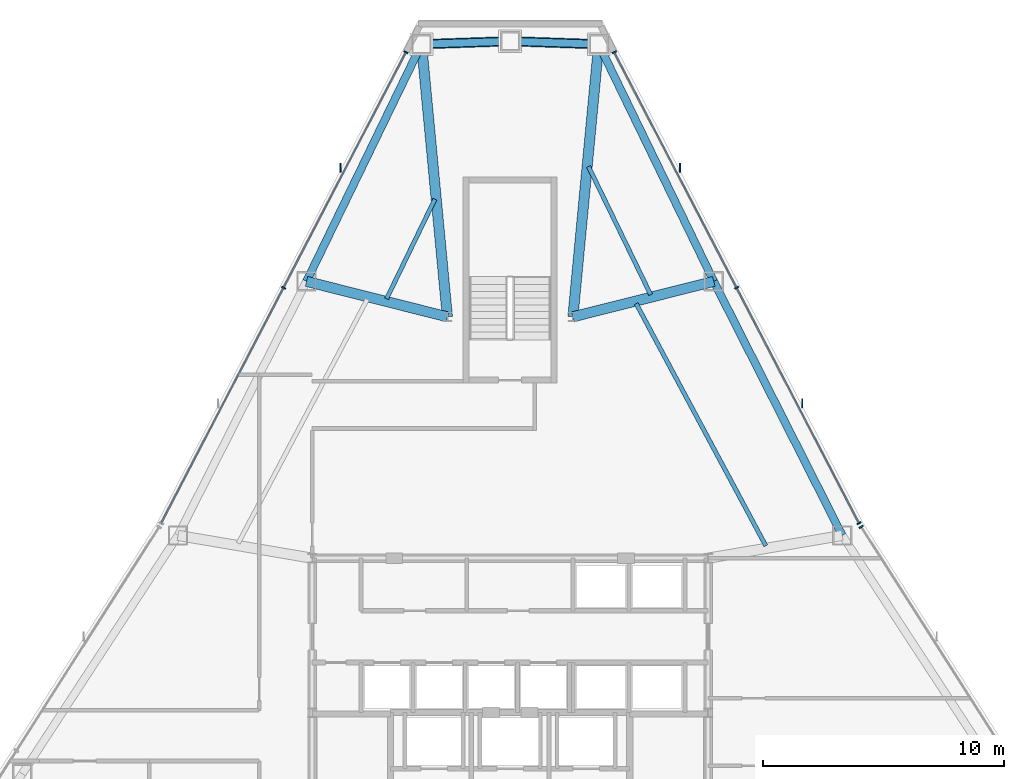
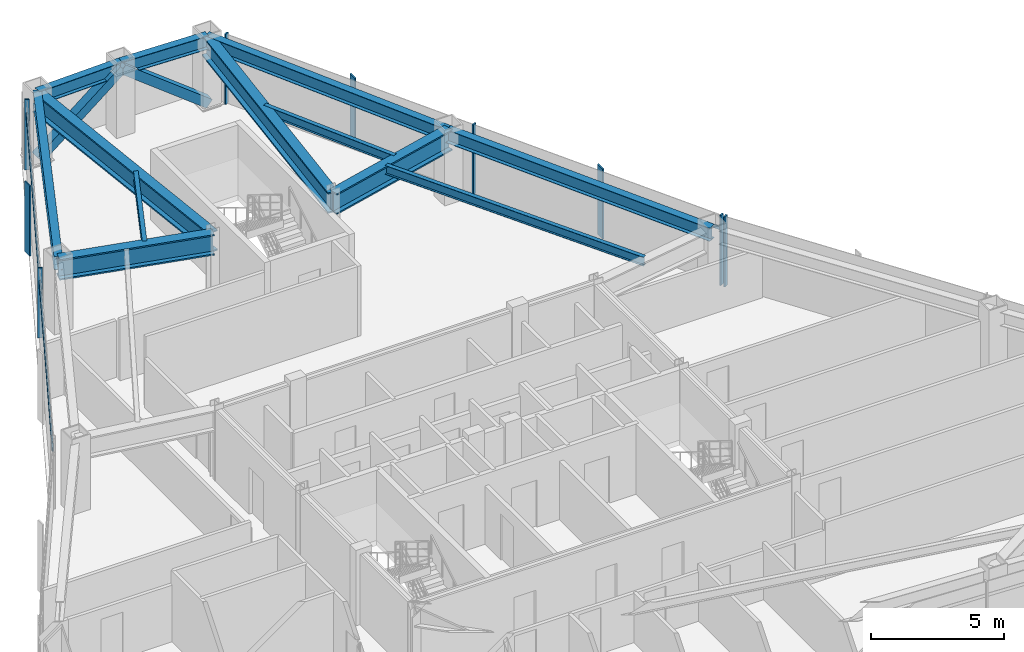
# One storey, part 8 of 13: 13 members, 12 beams, 3 elements without a shape of their own.
"""IFC4 building model written with IfcOpenShell, lengths in metres."""

from ifc_helpers import new_model, si_unit, direction, frame, origin, origin_2d, place, context, subcontext, project, spatial, rectangle, hollow_rectangle, i_section, extrude, source, transform, mapped, material, layer, layer_set, material_profile, profile_set, type_object, type_shapes, element, aggregate, save


model = new_model("IFC4")

# Units and contexts
model_context = context("Model", 3, precision=1e-05, world=origin(), true_north=direction((0.0, 1.0)))
body_context = subcontext(model_context, "Body", "Model", "MODEL_VIEW")
ifc_project = project(units=[si_unit("LENGTHUNIT", "METRE"), si_unit("AREAUNIT", "SQUARE_METRE"), si_unit("VOLUMEUNIT", "CUBIC_METRE"), si_unit("PLANEANGLEUNIT", "RADIAN"), si_unit("MASSUNIT", "GRAM", prefix="KILO")], contexts=[model_context])

# Site, building, storey
site_placement = place(None, origin())
site = spatial("IfcSite", under=ifc_project, at=site_placement, CompositionType="ELEMENT")
building_placement = place(site_placement, origin())
building = spatial("IfcBuilding", under=site, at=building_placement, Name="Varakhsha Concourse Tower", CompositionType="ELEMENT")
storey_placement = place(building_placement, frame((0.0, 0.0, 182.699951171875)))
storey = spatial("IfcBuildingStorey", under=building, at=storey_placement, Name="L52", CompositionType="ELEMENT", Elevation=182.699951171875)

# Beams
ifc_material_1 = material(Name="Structural Steel ASTM A992 Grade 50", Category="steel")
ifc_material_profile_1 = material_profile(ifc_material_1, i_section(OverallWidth=0.177978515625, OverallDepth=0.406982421875, WebThickness=0.008056640625, FlangeThickness=0.012939453125, at=origin_2d()), Name="W16X40")
ifc_profile_set_1 = profile_set([ifc_material_profile_1], Name="Structural Steel ASTM A992 Grade 50")
beam_type_1 = type_object("IfcBeamType", Name="BM-JST-W16X40", PredefinedType="JOIST", material=ifc_profile_set_1)
beam_1_placement = place(storey_placement, frame((36.88134765625, 46.07080078125, 3.006591796875), z_axis=(-0.436448531926, -0.899729225367, 0.0), x_axis=(0.899729225367, -0.436448531926, 0.0)))
element("IfcBeam", 1, at=beam_1_placement, inside=storey, type_object=beam_type_1, Name="BM-TJST-L52-03", PredefinedType="JOIST", context=body_context, shape_type="SweptSolid", body=[
    extrude(i_section(OverallWidth=0.177978515625, OverallDepth=0.406982421875, WebThickness=0.008056640625, FlangeThickness=0.012939453125, at=origin_2d()), origin(), (0.0, 0.0, 1.0), 4.585693359375),
])
beam_2_placement = place(storey_placement, frame((50.593994140625, 31.712158203125, 3.006591796875), z_axis=(-0.472008954275, 0.881593753996, 0.0), x_axis=(-0.881593753996, -0.472008954275, 0.0)))
element("IfcBeam", 2, at=beam_2_placement, inside=storey, type_object=beam_type_1, Name="BM-TJST-L52-17", PredefinedType="JOIST", context=body_context, shape_type="SweptSolid", body=[
    extrude(i_section(OverallWidth=0.177978515625, OverallDepth=0.406982421875, WebThickness=0.008056640625, FlangeThickness=0.012939453125, at=origin_2d()), origin(), (0.0, 0.0, 1.0), 11.385009765625),
])
beam_3_placement = place(storey_placement, frame((45.82080078125, 42.12109375, 3.006591796875), z_axis=(-0.436499023114, 0.899704730909, 0.0), x_axis=(-0.899704730909, -0.436499023114, 0.0)))
element("IfcBeam", 3, at=beam_3_placement, inside=storey, type_object=beam_type_1, Name="BM-TJST-L52-18", PredefinedType="JOIST", context=body_context, shape_type="SweptSolid", body=[
    extrude(i_section(OverallWidth=0.177978515625, OverallDepth=0.406982421875, WebThickness=0.008056640625, FlangeThickness=0.012939453125, at=origin_2d()), origin(), (0.0, 0.0, 1.0), 5.896240234375),
])
ifc_material_profile_2 = material_profile(ifc_material_1, i_section(OverallWidth=0.423095703125, OverallDepth=0.947998046875, WebThickness=0.0380859375, FlangeThickness=0.06396484375, at=origin_2d()), Name="W36X302")
ifc_profile_set_2 = profile_set([ifc_material_profile_2], Name="Structural Steel ASTM A992 Grade 50")
beam_type_2 = type_object("IfcBeamType", Name="BM-OUTR-W36X302", PredefinedType="USERDEFINED", material=ifc_profile_set_2)
for number, where, z_axis, x_axis, name in (
    (4, (42.60009765625, 41.199951171875, 2.736083984375), (0.094297260955, 0.995544085702, 0.0), (-0.995544085702, 0.094297260955, 0.0), "L52 Radial Floor Girder 01"),
    (5, (37.39990234375, 41.199951171875, 2.736083984375), (-0.094297260955, 0.995544085702, 0.0), (-0.995544085702, -0.094297260955, 0.0), "L52 Radial Floor Girder 03"),
):
    element("IfcBeam", number, at=place(storey_placement, frame(where, z_axis=z_axis, x_axis=x_axis)), inside=storey, type_object=beam_type_2, Name=name, ObjectType="GIRDER", PredefinedType="USERDEFINED", context=body_context, shape_type="SweptSolid", body=[
        extrude(i_section(OverallWidth=0.423095703125, OverallDepth=0.947998046875, WebThickness=0.0380859375, FlangeThickness=0.06396484375, at=origin_2d()), origin(), (0.0, 0.0, 1.0), 11.34521484375),
    ])
for number, where, z_axis, x_axis, name in (
    (6, (37.39990234375, 41.199951171875, 2.736083984375), (-0.969788332114, 0.243947926607, 0.0), (-0.243947926607, -0.969788332114, 0.0), "L52 Radial Floor Girder 04"),
    (7, (42.60009765625, 41.199951171875, 2.736083984375), (0.969788332114, 0.243947926607, 0.0), (-0.243947926607, 0.969788332114, 0.0), "L52 Radial Floor Girder 18"),
):
    element("IfcBeam", number, at=place(storey_placement, frame(where, z_axis=z_axis, x_axis=x_axis)), inside=storey, type_object=beam_type_2, Name=name, ObjectType="GIRDER", PredefinedType="USERDEFINED", context=body_context, shape_type="SweptSolid", body=[
        extrude(i_section(OverallWidth=0.423095703125, OverallDepth=0.947998046875, WebThickness=0.0380859375, FlangeThickness=0.06396484375, at=origin_2d()), origin(), (0.0, 0.0, 1.0), 6.018798828125),
    ])
ifc_material_profile_3 = material_profile(ifc_material_1, i_section(OverallWidth=0.323974609375, OverallDepth=0.611083984375, WebThickness=0.012939453125, FlangeThickness=0.01904296875, at=origin_2d()), Name="W24X104")
ifc_profile_set_3 = profile_set([ifc_material_profile_3], Name="Structural Steel ASTM A992 Grade 50")
beam_type_3 = type_object("IfcBeamType", Name="BM-SPAN-W24X104", PredefinedType="SPANDREL", material=ifc_profile_set_3)
for number, where, z_axis, x_axis, name in (
    (8, (43.669921875, 52.49462890625, 2.904541015625), (-0.999433931978, 0.033642467375, 0.0), (-0.033642467375, -0.999433931978, 0.0), "BM-SPAN-L52-01"),
    (9, (40.0, 52.6181640625, 2.904541015625), (-0.999433931978, -0.033642467375, 0.0), (0.033642467375, -0.999433931978, 0.0), "BM-SPAN-L52-02"),
):
    element("IfcBeam", number, at=place(storey_placement, frame(where, z_axis=z_axis, x_axis=x_axis)), inside=storey, type_object=beam_type_3, Name=name, PredefinedType="SPANDREL", context=body_context, shape_type="SweptSolid", body=[
        extrude(i_section(OverallWidth=0.323974609375, OverallDepth=0.611083984375, WebThickness=0.012939453125, FlangeThickness=0.01904296875, at=origin_2d()), origin(), (0.0, 0.0, 1.0), 3.672119140625),
    ])
beam_4_placement = place(storey_placement, frame((36.330078125, 52.49462890625, 2.904541015625), z_axis=(-0.436478617516, -0.899714630564, 0.0), x_axis=(0.899714630564, -0.436478617516, 0.0)))
element("IfcBeam", 10, at=beam_4_placement, inside=storey, type_object=beam_type_3, Name="BM-SPAN-L52-03", PredefinedType="SPANDREL", context=body_context, shape_type="SweptSolid", body=[
    extrude(i_section(OverallWidth=0.323974609375, OverallDepth=0.611083984375, WebThickness=0.012939453125, FlangeThickness=0.01904296875, at=origin_2d()), origin(), (0.0, 0.0, 1.0), 10.921630859375),
])
beam_5_placement = place(storey_placement, frame((53.759033203125, 32.143798828125, 2.904541015625), z_axis=(-0.451266437973, 0.892389265937, 0.0), x_axis=(-0.892389265937, -0.451266437973, 0.0)))
element("IfcBeam", 11, at=beam_5_placement, inside=storey, type_object=beam_type_3, Name="BM-SPAN-L52-17", PredefinedType="SPANDREL", context=body_context, shape_type="SweptSolid", body=[
    extrude(i_section(OverallWidth=0.323974609375, OverallDepth=0.611083984375, WebThickness=0.012939453125, FlangeThickness=0.01904296875, at=origin_2d()), origin(), (0.0, 0.0, 1.0), 11.79345703125),
])
beam_6_placement = place(storey_placement, frame((48.43701171875, 42.668212890625, 2.904541015625), z_axis=(-0.436478617516, 0.899714630564, 0.0), x_axis=(-0.899714630564, -0.436478617516, 0.0)))
element("IfcBeam", 12, at=beam_6_placement, inside=storey, type_object=beam_type_3, Name="BM-SPAN-L52-18", PredefinedType="SPANDREL", context=body_context, shape_type="SweptSolid", body=[
    extrude(i_section(OverallWidth=0.323974609375, OverallDepth=0.611083984375, WebThickness=0.012939453125, FlangeThickness=0.01904296875, at=origin_2d()), origin(), (0.0, 0.0, 1.0), 10.921630859375),
])

# Members
ifc_material_2 = material(Name="Structural Steel ASTM A500 Grade C", Category="steel")
ifc_material_profile_4 = material_profile(ifc_material_2, hollow_rectangle(XDim=0.39990234375, YDim=0.39990234375, WallThickness=0.01611328125, at=origin_2d()), Name="HSS 400x400x16")
ifc_profile_set_4 = profile_set([ifc_material_profile_4], Name="Structural Steel ASTM A500 Grade C")
member_type_1 = type_object("IfcMemberType", Name="MB-TUBE-HSS400", PredefinedType="BRACE", material=ifc_profile_set_4)
shared_shape_1 = source(origin(), body_context, "Body", "SweptSolid", [
    extrude(hollow_rectangle(XDim=0.39990234375, YDim=0.39990234375, WallThickness=0.01611328125, at=origin_2d()), origin(), (0.0, 0.0, 1.0), 4.61181640625),
])
type_shapes(member_type_1, [shared_shape_1])
for number, where, z_axis, x_axis, name in (
    (13, (43.669921875, 52.49462890625, 0.1201171875), (-0.795782635684, 0.026787254767, 0.604989619518), (-0.033642467375, -0.999433931978, 0.0), "L52 Wind-Corner Tube Brace B01"),
    (14, (36.330078125, 52.49462890625, 0.1201171875), (0.795782635684, 0.026787254767, 0.604989619518), (-0.033642467375, 0.999433931978, 0.0), "L52 Wind-Corner Tube Brace B02"),
):
    element("IfcMember", number, at=place(storey_placement, frame(where, z_axis=z_axis, x_axis=x_axis)), inside=storey, type_object=member_type_1, Name=name, PredefinedType="BRACE", context=body_context, shape_type="MappedRepresentation", body=[
        mapped(shared_shape_1, transform((0.0, 0.0, 0.0), scale=1.0)),
    ])

# Curtain wall, member
ifc_material_3 = material(Name="Anodised Bronze Architectural Aluminium AA 6063-T6", Category="aluminium")
ifc_layer = layer(ifc_material_3, 0.2099609375, Name="CW-SYS-04")
ifc_layer_set = layer_set([ifc_layer], Name="Anodised Bronze Architectural Aluminium AA 6063-T6")
curtain_wall_type = type_object("IfcCurtainWallType", Name="CW-SYS-04", PredefinedType="NOTDEFINED", material=ifc_layer_set)
curtain_wall_1_placement = place(storey_placement, origin())
curtain_wall_1 = element("IfcCurtainWall", 15, at=curtain_wall_1_placement, inside=storey, type_object=curtain_wall_type, Name="L52 Crystal Curtain Wall F2", PredefinedType="NOTDEFINED")
ifc_material_profile_5 = material_profile(ifc_material_3, rectangle(XDim=0.06005859375, YDim=0.3798828125, at=origin_2d()), Name="FIN-BRZ-380")
ifc_profile_set_5 = profile_set([ifc_material_profile_5], Name="Anodised Bronze Architectural Aluminium AA 6063-T6")
member_type_2 = type_object("IfcMemberType", Name="FIN-BRZ-380", PredefinedType="USERDEFINED", material=ifc_profile_set_5)
shared_shape_2 = source(origin(), body_context, "Body", "SweptSolid", [
    extrude(rectangle(XDim=0.06005859375, YDim=0.3798828125, at=origin_2d()), origin(), (0.0, 0.0, 1.0), 3.2099609375),
])
type_shapes(member_type_2, [shared_shape_2])
member_1_placement = place(storey_placement, frame((32.96923828125, 47.379638671875, 0.0), z_axis=(0.0, 0.0, 1.0), x_axis=(1.0, 0.0, 0.0)))
member_1 = element("IfcMember", 16, at=member_1_placement, type_object=member_type_2, Name="L52 Anodised Bronze Solar Fin F2-2", ObjectType="SOLAR FIN", PredefinedType="USERDEFINED", context=body_context, shape_type="MappedRepresentation", body=[
    mapped(shared_shape_2, transform((0.0, 0.0, 0.0), scale=1.0)),
])

# Curtain wall, members
curtain_wall_2_placement = place(storey_placement, origin())
curtain_wall_2 = element("IfcCurtainWall", 17, at=curtain_wall_2_placement, inside=storey, type_object=curtain_wall_type, Name="L52 Crystal Curtain Wall F9", PredefinedType="NOTDEFINED")
member_2_placement = place(storey_placement, frame((47.03076171875, 47.379638671875, 0.0), z_axis=(0.0, 0.0, 1.0), x_axis=(1.0, 0.0, 0.0)))
member_2 = element("IfcMember", 18, at=member_2_placement, type_object=member_type_2, Name="L52 Anodised Bronze Solar Fin F9-1", ObjectType="SOLAR FIN", PredefinedType="USERDEFINED", context=body_context, shape_type="MappedRepresentation", body=[
    mapped(shared_shape_2, transform((0.0, 0.0, 0.0), scale=1.0)),
])
member_3_placement = place(storey_placement, frame((52.1025390625, 37.620849609375, 0.0), z_axis=(0.0, 0.0, 1.0), x_axis=(1.0, 0.0, 0.0)))
member_3 = element("IfcMember", 19, at=member_3_placement, type_object=member_type_2, Name="L52 Anodised Bronze Solar Fin F9-2", ObjectType="SOLAR FIN", PredefinedType="USERDEFINED", context=body_context, shape_type="MappedRepresentation", body=[
    mapped(shared_shape_2, transform((0.0, 0.0, 0.0), scale=1.0)),
])

# Member
ifc_material_profile_6 = material_profile(ifc_material_3, rectangle(XDim=0.06494140625, YDim=0.179931640625, at=origin_2d()), Name="CWM-180X65")
ifc_profile_set_6 = profile_set([ifc_material_profile_6], Name="Anodised Bronze Architectural Aluminium AA 6063-T6")
member_type_3 = type_object("IfcMemberType", Name="CWM-180X65", PredefinedType="MULLION", material=ifc_profile_set_6)
shared_shape_3 = source(origin(), body_context, "Body", "SweptSolid", [
    extrude(rectangle(XDim=0.06494140625, YDim=0.179931640625, at=origin_2d()), origin(), (0.0, 0.0, 1.0), 3.2099609375),
])
type_shapes(member_type_3, [shared_shape_3])
member_4_placement = place(storey_placement, frame((30.615234375, 42.405517578125, 0.0), z_axis=(0.0, 0.0, 1.0), x_axis=(0.461155577875, 0.887319295967, 0.0)))
member_4 = element("IfcMember", 20, at=member_4_placement, type_object=member_type_3, Name="CW-L52-F2 Mullion 01", PredefinedType="MULLION", context=body_context, shape_type="MappedRepresentation", body=[
    mapped(shared_shape_3, transform((0.0, 0.0, 0.0), scale=1.0)),
])

member_5_placement = place(storey_placement, frame((35.68701171875, 52.164306640625, 0.0), z_axis=(0.0, 0.0, 1.0), x_axis=(0.461155577875, 0.887319295967, 0.0)))
member_5 = element("IfcMember", 21, at=member_5_placement, type_object=member_type_3, Name="CW-L52-F2 Mullion 02", PredefinedType="MULLION", context=body_context, shape_type="MappedRepresentation", body=[
    mapped(shared_shape_3, transform((0.0, 0.0, 0.0), scale=1.0)),
])

# Curtain wall, member
curtain_wall_3_placement = place(storey_placement, origin())
curtain_wall_3 = element("IfcCurtainWall", 22, at=curtain_wall_3_placement, inside=storey, type_object=curtain_wall_type, Name="L52 Crystal Curtain Wall F8", PredefinedType="NOTDEFINED")
member_6_placement = place(storey_placement, frame((54.54345703125, 32.49609375, 0.0), z_axis=(0.0, 0.0, 1.0), x_axis=(0.537863262638, -0.84303209352, 0.0)))
member_6 = element("IfcMember", 23, at=member_6_placement, type_object=member_type_3, Name="CW-L52-F8 Mullion 00", PredefinedType="MULLION", context=body_context, shape_type="MappedRepresentation", body=[
    mapped(shared_shape_3, transform((0.0, 0.0, 0.0), scale=1.0)),
])
aggregate(curtain_wall_3, [member_6])

# Member
member_7_placement = place(storey_placement, frame((44.31298828125, 52.164306640625, 0.0), z_axis=(0.0, 0.0, 1.0), x_axis=(0.461155577875, -0.887319295967, 0.0)))
member_7 = element("IfcMember", 24, at=member_7_placement, type_object=member_type_3, Name="CW-L52-F9 Mullion 00", PredefinedType="MULLION", context=body_context, shape_type="MappedRepresentation", body=[
    mapped(shared_shape_3, transform((0.0, 0.0, 0.0), scale=1.0)),
])

member_8_placement = place(storey_placement, frame((49.384765625, 42.40576171875, 0.0), z_axis=(0.0, 0.0, 1.0), x_axis=(0.461155577875, -0.887319295967, 0.0)))
member_8 = element("IfcMember", 25, at=member_8_placement, type_object=member_type_3, Name="CW-L52-F9 Mullion 01", PredefinedType="MULLION", context=body_context, shape_type="MappedRepresentation", body=[
    mapped(shared_shape_3, transform((0.0, 0.0, 0.0), scale=1.0)),
])

member_9_placement = place(storey_placement, frame((54.45654296875, 32.64697265625, 0.0), z_axis=(0.0, 0.0, 1.0), x_axis=(0.461155577875, -0.887319295967, 0.0)))
member_9 = element("IfcMember", 26, at=member_9_placement, type_object=member_type_3, Name="CW-L52-F9 Mullion 02", PredefinedType="MULLION", context=body_context, shape_type="MappedRepresentation", body=[
    mapped(shared_shape_3, transform((0.0, 0.0, 0.0), scale=1.0)),
])

ifc_material_profile_7 = material_profile(ifc_material_3, rectangle(XDim=0.06005859375, YDim=0.139892578125, at=origin_2d()), Name="CWT-140X60")
ifc_profile_set_7 = profile_set([ifc_material_profile_7], Name="Anodised Bronze Architectural Aluminium AA 6063-T6")
member_type_4 = type_object("IfcMemberType", Name="CWT-140X60", PredefinedType="USERDEFINED", material=ifc_profile_set_7)
shared_shape_4 = source(origin(), body_context, "Body", "SweptSolid", [
    extrude(rectangle(XDim=0.06005859375, YDim=0.139892578125, at=origin_2d()), origin(), (0.0, 0.0, 1.0), 21.995849609375),
])
type_shapes(member_type_4, [shared_shape_4])
member_10_placement = place(storey_placement, frame((25.54345703125, 32.64697265625, 2.56005859375), z_axis=(0.461157367844, 0.887318365686, 0.0), x_axis=(-0.887318365686, 0.461157367844, 0.0)))
member_10 = element("IfcMember", 27, at=member_10_placement, type_object=member_type_4, Name="CW-L52-F2 Transom 01", ObjectType="TRANSOM", PredefinedType="USERDEFINED", context=body_context, shape_type="MappedRepresentation", body=[
    mapped(shared_shape_4, transform((0.0, 0.0, 0.0), scale=1.0)),
])

aggregate(curtain_wall_1, [member_4, member_5, member_10, member_1])

member_11_placement = place(storey_placement, frame((44.31298828125, 52.164306640625, 2.56005859375), z_axis=(0.461157367844, -0.887318365686, 0.0), x_axis=(0.887318365686, 0.461157367844, 0.0)))
member_11 = element("IfcMember", 28, at=member_11_placement, type_object=member_type_4, Name="CW-L52-F9 Transom 01", ObjectType="TRANSOM", PredefinedType="USERDEFINED", context=body_context, shape_type="MappedRepresentation", body=[
    mapped(shared_shape_4, transform((0.0, 0.0, 0.0), scale=1.0)),
])

aggregate(curtain_wall_2, [member_7, member_8, member_9, member_11, member_2, member_3])

save(model, "model.ifc")
